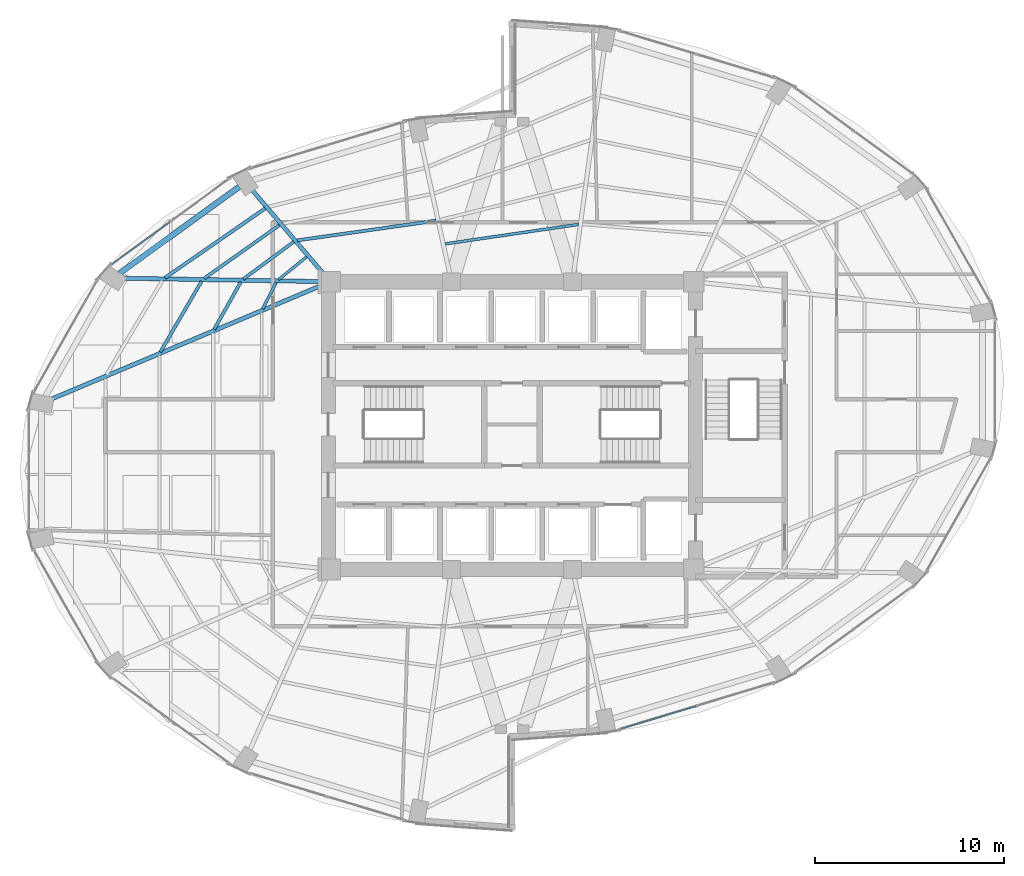
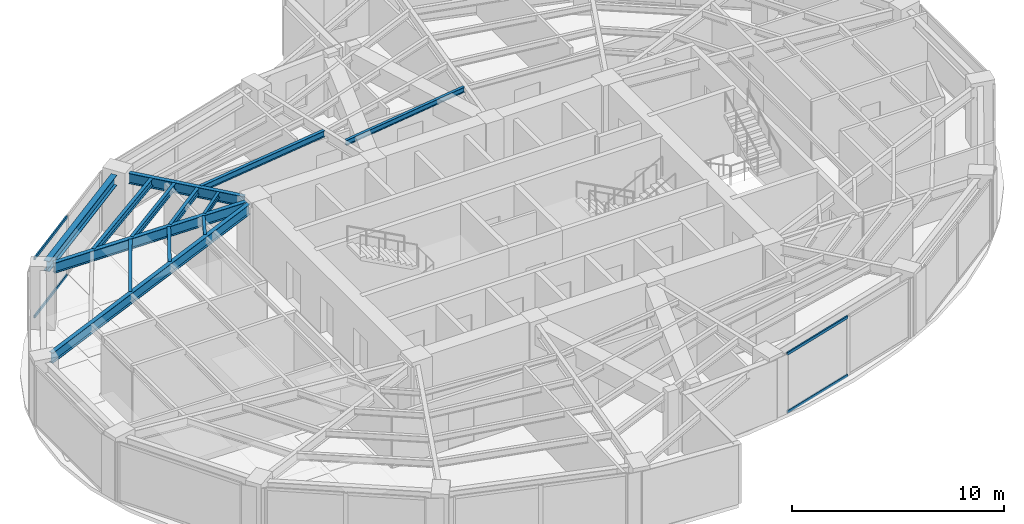
# One storey, part 9 of 23: 13 beams, 4 members, 2 elements without a shape of their own.
"""IFC4 building model written with IfcOpenShell, lengths in metres."""

from ifc_helpers import new_model, si_unit, direction, frame, origin, origin_2d, place, context, subcontext, project, spatial, hollow_rectangle, i_section, extrude, material, layer, layer_set, material_profile, profile_set, type_object, element, aggregate, save


model = new_model("IFC4")

# Units and contexts
model_context = context("Model", 3, precision=1e-05, world=origin(), true_north=direction((0.0, 1.0)))
body_context = subcontext(model_context, "Body", "Model", "MODEL_VIEW")
ifc_project = project(units=[si_unit("LENGTHUNIT", "METRE"), si_unit("AREAUNIT", "SQUARE_METRE"), si_unit("VOLUMEUNIT", "CUBIC_METRE"), si_unit("PLANEANGLEUNIT", "RADIAN"), si_unit("MASSUNIT", "GRAM", prefix="KILO")], contexts=[model_context])

# Site, building, storey
site_placement = place(None, origin())
site = spatial("IfcSite", under=ifc_project, at=site_placement, CompositionType="ELEMENT")
building_placement = place(site_placement, origin())
building = spatial("IfcBuilding", under=site, at=building_placement, Name="Lazwardi Medical Tower", CompositionType="ELEMENT")
storey_placement = place(building_placement, frame((0.0, 0.0, 107.280029296875)))
storey = spatial("IfcBuildingStorey", under=building, at=storey_placement, Name="L27", CompositionType="ELEMENT", Elevation=107.280029296875)

# Beams
ifc_material_1 = material(Name="Steel S355", Category="steel")
ifc_material_profile_1 = material_profile(ifc_material_1, i_section(OverallWidth=0.300048828125, OverallDepth=0.60009765625, WebThickness=0.015380859375, FlangeThickness=0.030029296875, at=origin_2d()), Name="HEB 600")
ifc_profile_set_1 = profile_set([ifc_material_profile_1], Name="Steel S355")
beam_type_1 = type_object("IfcBeamType", Name="BM-RB-Z2", PredefinedType="BEAM", material=ifc_profile_set_1)
beam_1_placement = place(storey_placement, frame((21.584228515625, 40.6171875, 3.1279296875), z_axis=(-0.810041907649, -0.586371987609, 0.0), x_axis=(0.586371987609, -0.810041907649, 0.0)))
element("IfcBeam", 1, at=beam_1_placement, inside=storey, type_object=beam_type_1, Name="Ring beam RB-03 B10 L27", PredefinedType="BEAM", context=body_context, shape_type="SweptSolid", body=[
    extrude(i_section(OverallWidth=0.300048828125, OverallDepth=0.60009765625, WebThickness=0.015380859375, FlangeThickness=0.030029296875, at=origin_2d()), origin(), (0.0, 0.0, 1.0), 7.814208984375),
])
ifc_material_profile_2 = material_profile(ifc_material_1, i_section(OverallWidth=0.219970703125, OverallDepth=0.60009765625, WebThickness=0.011962890625, FlangeThickness=0.01904296875, at=origin_2d()), Name="IPE 600")
ifc_profile_set_2 = profile_set([ifc_material_profile_2], Name="Steel S355")
beam_type_2 = type_object("IfcBeamType", Name="BM-RG-W1", PredefinedType="BEAM", material=ifc_profile_set_2)
beam_2_placement = place(storey_placement, frame((22.292724609375, 40.416259765625, 3.1279296875), z_axis=(0.648870567436, -0.760898801889, 0.0), x_axis=(0.760898801889, 0.648870567436, 0.0)))
element("IfcBeam", 2, at=beam_2_placement, inside=storey, type_object=beam_type_2, Name="Radial girder RG-02 R10 L27", PredefinedType="BEAM", context=body_context, shape_type="SweptSolid", body=[
    extrude(i_section(OverallWidth=0.219970703125, OverallDepth=0.60009765625, WebThickness=0.011962890625, FlangeThickness=0.01904296875, at=origin_2d()), origin(), (0.0, 0.0, 1.0), 5.794677734375),
])
beam_3_placement = place(storey_placement, frame((15.502197265625, 35.784912109375, 3.1279296875), z_axis=(0.99985616395, -0.016960289263, 0.0), x_axis=(0.016960289263, 0.99985616395, 0.0)))
element("IfcBeam", 3, at=beam_3_placement, inside=storey, type_object=beam_type_2, Name="Radial girder RG-02 R11 L27", PredefinedType="BEAM", context=body_context, shape_type="SweptSolid", body=[
    extrude(i_section(OverallWidth=0.219970703125, OverallDepth=0.60009765625, WebThickness=0.011962890625, FlangeThickness=0.01904296875, at=origin_2d()), origin(), (0.0, 0.0, 1.0), 10.3642578125),
])
beam_4_placement = place(storey_placement, frame((11.671630859375, 29.40478515625, 3.1279296875), z_axis=(0.921775176005, 0.38772480563, 0.0), x_axis=(-0.38772480563, 0.921775176005, 0.0)))
element("IfcBeam", 4, at=beam_4_placement, inside=storey, type_object=beam_type_2, Name="Radial girder RG-02 R12 L27", PredefinedType="BEAM", context=body_context, shape_type="SweptSolid", body=[
    extrude(i_section(OverallWidth=0.219970703125, OverallDepth=0.60009765625, WebThickness=0.011962890625, FlangeThickness=0.01904296875, at=origin_2d()), origin(), (0.0, 0.0, 1.0), 15.443359375),
])
ifc_material_profile_3 = material_profile(ifc_material_1, i_section(OverallWidth=0.179931640625, OverallDepth=0.39990234375, WebThickness=0.008544921875, FlangeThickness=0.013427734375, at=origin_2d()), Name="IPE 400")
ifc_profile_set_3 = profile_set([ifc_material_profile_3], Name="Steel S355")
beam_type_3 = type_object("IfcBeamType", Name="BM-SJ-01", PredefinedType="JOIST", material=ifc_profile_set_3)
beam_5_placement = place(storey_placement, frame((22.95849609375, 39.474609375, 3.22802734375), z_axis=(-0.822376339068, -0.568943896128, 0.0), x_axis=(0.568943896128, -0.822376339068, 0.0)))
element("IfcBeam", 5, at=beam_5_placement, inside=storey, type_object=beam_type_3, Name="Secondary joist SJ-01 R1 B10 L27", PredefinedType="JOIST", context=body_context, shape_type="SweptSolid", body=[
    extrude(i_section(OverallWidth=0.179931640625, OverallDepth=0.39990234375, WebThickness=0.008544921875, FlangeThickness=0.013427734375, at=origin_2d()), origin(), (0.0, 0.0, 1.0), 6.44189453125),
])
ifc_material_profile_4 = material_profile(ifc_material_1, i_section(OverallWidth=0.169921875, OverallDepth=0.360107421875, WebThickness=0.008056640625, FlangeThickness=0.0126953125, at=origin_2d()), Name="IPE 360")
ifc_profile_set_4 = profile_set([ifc_material_profile_4], Name="Steel S355")
beam_type_4 = type_object("IfcBeamType", Name="BM-SJ-02", PredefinedType="JOIST", material=ifc_profile_set_4)
beam_6_placement = place(storey_placement, frame((23.7109375, 38.591796875, 3.248046875), z_axis=(-0.816156371539, -0.577831097464, 0.0), x_axis=(0.577831097464, -0.816156371539, 0.0)))
element("IfcBeam", 6, at=beam_6_placement, inside=storey, type_object=beam_type_4, Name="Secondary joist SJ-02 R2 B10 L27", PredefinedType="JOIST", context=body_context, shape_type="SweptSolid", body=[
    extrude(i_section(OverallWidth=0.169921875, OverallDepth=0.360107421875, WebThickness=0.008056640625, FlangeThickness=0.0126953125, at=origin_2d()), origin(), (0.0, 0.0, 1.0), 4.8740234375),
])
beam_7_placement = place(storey_placement, frame((19.594482421875, 35.623779296875, 3.248046875), z_axis=(-0.503544274258, -0.86396942299, 0.0), x_axis=(0.86396942299, -0.503544274258, 0.0)))
element("IfcBeam", 7, at=beam_7_placement, inside=storey, type_object=beam_type_4, Name="Secondary joist SJ-02 R2 B11 L27", PredefinedType="JOIST", context=body_context, shape_type="SweptSolid", body=[
    extrude(i_section(OverallWidth=0.169921875, OverallDepth=0.360107421875, WebThickness=0.008056640625, FlangeThickness=0.0126953125, at=origin_2d()), origin(), (0.0, 0.0, 1.0), 4.321044921875),
])
beam_8_placement = place(storey_placement, frame((31.988525390625, 38.8271484375, 3.248046875), z_axis=(-0.990067108571, -0.140595592128, 0.0), x_axis=(0.140595592128, -0.990067108571, 0.0)))
element("IfcBeam", 8, at=beam_8_placement, inside=storey, type_object=beam_type_4, Name="Secondary joist SJ-02 R3 B09 L27", PredefinedType="JOIST", context=body_context, shape_type="SweptSolid", body=[
    extrude(i_section(OverallWidth=0.169921875, OverallDepth=0.360107421875, WebThickness=0.008056640625, FlangeThickness=0.0126953125, at=origin_2d()), origin(), (0.0, 0.0, 1.0), 7.409423828125),
])
beam_9_placement = place(storey_placement, frame((24.46435546875, 37.708251953125, 3.248046875), z_axis=(-0.804125525058, -0.594459536008, 0.0), x_axis=(0.594459536008, -0.804125525058, 0.0)))
element("IfcBeam", 9, at=beam_9_placement, inside=storey, type_object=beam_type_4, Name="Secondary joist SJ-02 R3 B10 L27", PredefinedType="JOIST", context=body_context, shape_type="SweptSolid", body=[
    extrude(i_section(OverallWidth=0.169921875, OverallDepth=0.360107421875, WebThickness=0.008056640625, FlangeThickness=0.0126953125, at=origin_2d()), origin(), (0.0, 0.0, 1.0), 3.30810546875),
])
beam_10_placement = place(storey_placement, frame((21.66845703125, 35.587890625, 3.248046875), z_axis=(-0.489860824278, -0.871800649711, 0.0), x_axis=(0.871800649711, -0.489860824278, 0.0)))
element("IfcBeam", 10, at=beam_10_placement, inside=storey, type_object=beam_type_4, Name="Secondary joist SJ-02 R3 B11 L27", PredefinedType="JOIST", context=body_context, shape_type="SweptSolid", body=[
    extrude(i_section(OverallWidth=0.169921875, OverallDepth=0.360107421875, WebThickness=0.008056640625, FlangeThickness=0.0126953125, at=origin_2d()), origin(), (0.0, 0.0, 1.0), 2.8662109375),
])
ifc_material_profile_5 = material_profile(ifc_material_1, i_section(OverallWidth=0.14990234375, OverallDepth=0.300048828125, WebThickness=0.007080078125, FlangeThickness=0.0107421875, at=origin_2d()), Name="IPE 300")
ifc_profile_set_5 = profile_set([ifc_material_profile_5], Name="Steel S355")
beam_type_5 = type_object("IfcBeamType", Name="BM-SJ-03", PredefinedType="JOIST", material=ifc_profile_set_5)
beam_11_placement = place(storey_placement, frame((39.511474609375, 38.62939453125, 3.278076171875), z_axis=(-0.98949221477, -0.144586157392, 0.0), x_axis=(0.144586157392, -0.98949221477, 0.0)))
element("IfcBeam", 11, at=beam_11_placement, inside=storey, type_object=beam_type_5, Name="Secondary joist SJ-03 R4 B08 L27", PredefinedType="JOIST", context=body_context, shape_type="SweptSolid", body=[
    extrude(i_section(OverallWidth=0.14990234375, OverallDepth=0.300048828125, WebThickness=0.007080078125, FlangeThickness=0.0107421875, at=origin_2d()), origin(), (0.0, 0.0, 1.0), 7.115478515625),
])
beam_12_placement = place(storey_placement, frame((25.14404296875, 36.910888671875, 3.278076171875), z_axis=(-0.77695773322, -0.629552762515, 0.0), x_axis=(0.629552762515, -0.77695773322, 0.0)))
element("IfcBeam", 12, at=beam_12_placement, inside=storey, type_object=beam_type_5, Name="Secondary joist SJ-03 R4 B10 L27", PredefinedType="JOIST", context=body_context, shape_type="SweptSolid", body=[
    extrude(i_section(OverallWidth=0.14990234375, OverallDepth=0.300048828125, WebThickness=0.007080078125, FlangeThickness=0.0107421875, at=origin_2d()), origin(), (0.0, 0.0, 1.0), 1.9013671875),
])
beam_13_placement = place(storey_placement, frame((23.537109375, 35.554443359375, 3.278076171875), z_axis=(-0.457956589674, -0.888974556427, 0.0), x_axis=(0.888974556427, -0.457956589674, 0.0)))
element("IfcBeam", 13, at=beam_13_placement, inside=storey, type_object=beam_type_5, Name="Secondary joist SJ-03 R4 B11 L27", PredefinedType="JOIST", context=body_context, shape_type="SweptSolid", body=[
    extrude(i_section(OverallWidth=0.14990234375, OverallDepth=0.300048828125, WebThickness=0.007080078125, FlangeThickness=0.0107421875, at=origin_2d()), origin(), (0.0, 0.0, 1.0), 1.558837890625),
])

# Curtain wall, members
ifc_material_2 = material(Name="Anodised bronze aluminium and solar control glazing", Category="aluminium")
ifc_layer = layer(ifc_material_2, 0.195068359375)
ifc_layer_set = layer_set([ifc_layer], Name="Anodised bronze aluminium and solar control glazing")
curtain_wall_type = type_object("IfcCurtainWallType", Name="CW-SYS-03", PredefinedType="NOTDEFINED", material=ifc_layer_set)
curtain_wall_1_placement = place(storey_placement, origin())
curtain_wall_1 = element("IfcCurtainWall", 14, at=curtain_wall_1_placement, inside=storey, type_object=curtain_wall_type, Name="L27 Unitised bronze curtain wall CW-03", PredefinedType="NOTDEFINED")
ifc_material_3 = material(Name="Anodised bronze aluminium", Category="aluminium")
ifc_material_profile_6 = material_profile(ifc_material_3, hollow_rectangle(XDim=0.074951171875, YDim=0.159912109375, WallThickness=0.00390625, at=origin_2d()), Name="ALU-TRANSOM 160x75x4")
ifc_profile_set_6 = profile_set([ifc_material_profile_6], Name="Anodised bronze aluminium")
member_type = type_object("IfcMemberType", Name="CW-TRN-01", PredefinedType="USERDEFINED", material=ifc_profile_set_6)
member_1_placement = place(storey_placement, frame((41.74609375, 11.970703125, 0.037353515625), z_axis=(0.957220865985, 0.289358279168, 0.0), x_axis=(-0.289358279168, 0.957220865985, 0.0)))
member_1 = element("IfcMember", 15, at=member_1_placement, type_object=member_type, Name="CW-03 transom 1.1", ObjectType="TRANSOM", PredefinedType="USERDEFINED", context=body_context, shape_type="SweptSolid", body=[
    extrude(hollow_rectangle(XDim=0.074951171875, YDim=0.159912109375, WallThickness=0.00390625, at=origin_2d()), origin(), (0.0, 0.0, 1.0), 4.16552734375),
])
member_2_placement = place(storey_placement, frame((41.74609375, 11.970703125, 3.390380859375), z_axis=(0.957220865985, 0.289358279168, 0.0), x_axis=(-0.289358279168, 0.957220865985, 0.0)))
member_2 = element("IfcMember", 16, at=member_2_placement, type_object=member_type, Name="CW-03 transom 1.2", ObjectType="TRANSOM", PredefinedType="USERDEFINED", context=body_context, shape_type="SweptSolid", body=[
    extrude(hollow_rectangle(XDim=0.074951171875, YDim=0.159912109375, WallThickness=0.00390625, at=origin_2d()), origin(), (0.0, 0.0, 1.0), 4.16552734375),
])
aggregate(curtain_wall_1, [member_1, member_2])

curtain_wall_2_placement = place(storey_placement, origin())
curtain_wall_2 = element("IfcCurtainWall", 17, at=curtain_wall_2_placement, inside=storey, type_object=curtain_wall_type, Name="L27 Unitised bronze curtain wall CW-03", PredefinedType="NOTDEFINED")
member_3_placement = place(storey_placement, frame((17.918701171875, 38.752197265625, 0.037353515625), z_axis=(-0.807731734271, -0.589550206049, 0.0), x_axis=(0.589550206049, -0.807731734271, 0.0)))
member_3 = element("IfcMember", 18, at=member_3_placement, type_object=member_type, Name="CW-03 transom 2.1", ObjectType="TRANSOM", PredefinedType="USERDEFINED", context=body_context, shape_type="SweptSolid", body=[
    extrude(hollow_rectangle(XDim=0.074951171875, YDim=0.159912109375, WallThickness=0.00390625, at=origin_2d()), origin(), (0.0, 0.0, 1.0), 3.767578125),
])
member_4_placement = place(storey_placement, frame((17.918701171875, 38.752197265625, 3.390380859375), z_axis=(-0.807731734271, -0.589550206049, 0.0), x_axis=(0.589550206049, -0.807731734271, 0.0)))
member_4 = element("IfcMember", 19, at=member_4_placement, type_object=member_type, Name="CW-03 transom 2.2", ObjectType="TRANSOM", PredefinedType="USERDEFINED", context=body_context, shape_type="SweptSolid", body=[
    extrude(hollow_rectangle(XDim=0.074951171875, YDim=0.159912109375, WallThickness=0.00390625, at=origin_2d()), origin(), (0.0, 0.0, 1.0), 3.767578125),
])
aggregate(curtain_wall_2, [member_3, member_4])

save(model, "model.ifc")
